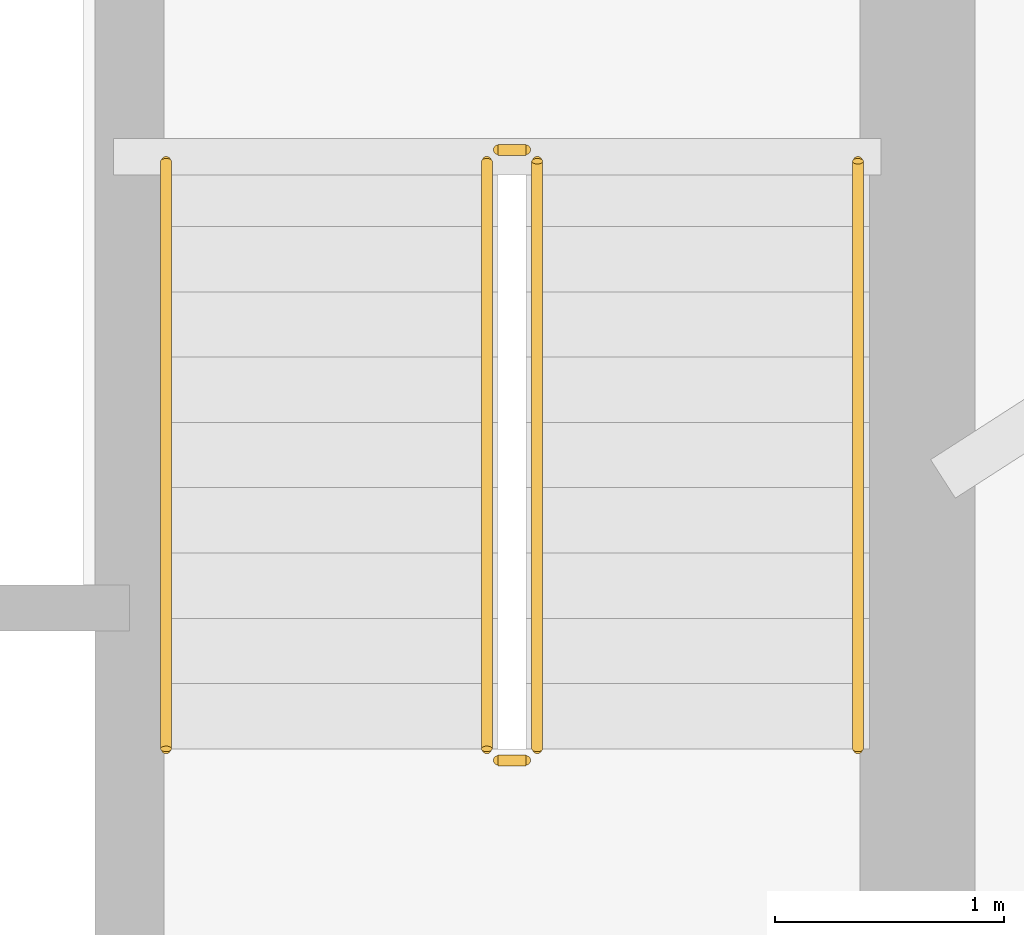
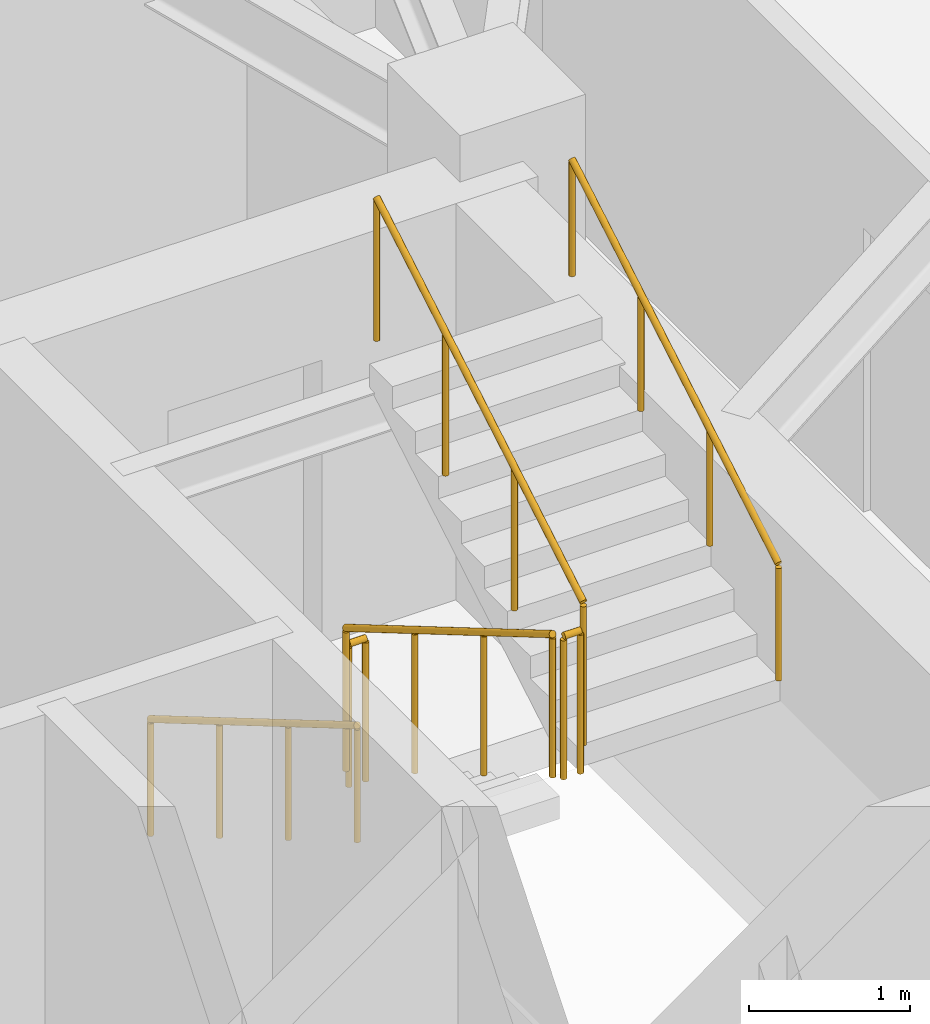
# One storey, part 17 of 17: 6 railings.
"""IFC4 building model written with IfcOpenShell, lengths in metres."""

from ifc_helpers import new_model, si_unit, direction, frame, origin, origin_2d, place, context, subcontext, project, spatial, circle, extrude, material, type_object, element, save


model = new_model("IFC4")

# Units and contexts
model_context = context("Model", 3, precision=1e-05, world=origin(), true_north=direction((0.0, 1.0)))
body_context = subcontext(model_context, "Body", "Model", "MODEL_VIEW")
ifc_project = project(units=[si_unit("LENGTHUNIT", "METRE"), si_unit("AREAUNIT", "SQUARE_METRE"), si_unit("VOLUMEUNIT", "CUBIC_METRE"), si_unit("PLANEANGLEUNIT", "RADIAN"), si_unit("MASSUNIT", "GRAM", prefix="KILO")], contexts=[model_context])

# Site, building, storey
site_placement = place(None, origin())
site = spatial("IfcSite", under=ifc_project, at=site_placement, CompositionType="ELEMENT")
building_placement = place(site_placement, origin())
building = spatial("IfcBuilding", under=site, at=building_placement, Name="Qobustan Lattice House", CompositionType="ELEMENT")
storey_placement = place(building_placement, frame((0.0, 0.0, 171.199951171875)))
storey = spatial("IfcBuildingStorey", under=building, at=storey_placement, Name="L48", CompositionType="ELEMENT", Elevation=171.199951171875)

# Railings
ifc_material_1 = material(Name="Brushed stainless steel handrail", Category="steel")
railing_type_1 = type_object("IfcRailingType", Name="RAL-HR-920", PredefinedType="HANDRAIL", material=ifc_material_1)
railing_1_placement = place(storey_placement, frame((15.179931640625, 3.5, 0.16748046875)))
element("IfcRailing", 1, at=railing_1_placement, inside=storey, type_object=railing_type_1, Name="L48 ST-E1 stair handrail 1", PredefinedType="HANDRAIL", context=body_context, shape_type="SweptSolid", body=[
    extrude(circle(Radius=0.02392578125, at=origin_2d()), frame((0.0, 0.0, 0.8759765625), z_axis=(0.0, -0.862113467892, 0.50671527358), x_axis=(1.0, 0.0, 0.0)), (0.0, 0.0, 1.0), 2.97509765625),
    extrude(circle(Radius=0.02099609375, at=origin_2d()), origin(), (0.0, 0.0, 1.0), 0.851806640625),
    extrude(circle(Radius=0.02099609375, at=origin_2d()), frame((0.0, -0.85498046875, 0.50244140625)), (0.0, 0.0, 1.0), 0.851806640625),
    extrude(circle(Radius=0.02099609375, at=origin_2d()), frame((0.0, -1.7099609375, 1.005126953125)), (0.0, 0.0, 1.0), 0.851806640625),
    extrude(circle(Radius=0.02099609375, at=origin_2d()), frame((0.0, -2.56494140625, 1.507568359375)), (0.0, 0.0, 1.0), 0.851806640625),
])
railing_2_placement = place(storey_placement, frame((18.199951171875, 0.93505859375, 1.842529296875)))
element("IfcRailing", 2, at=railing_2_placement, inside=storey, type_object=railing_type_1, Name="L48 ST-E1 stair handrail 2", PredefinedType="HANDRAIL", context=body_context, shape_type="SweptSolid", body=[
    extrude(circle(Radius=0.02392578125, at=origin_2d()), frame((0.0, 0.0, 0.8759765625), z_axis=(0.0, 0.862113467892, 0.50671527358), x_axis=(-1.0, 0.0, 0.0)), (0.0, 0.0, 1.0), 2.97509765625),
    extrude(circle(Radius=0.02099609375, at=origin_2d()), origin(), (0.0, 0.0, 1.0), 0.851806640625),
    extrude(circle(Radius=0.02099609375, at=origin_2d()), frame((0.0, 0.85498046875, 0.50244140625)), (0.0, 0.0, 1.0), 0.851806640625),
    extrude(circle(Radius=0.02099609375, at=origin_2d()), frame((0.0, 1.7099609375, 1.005126953125)), (0.0, 0.0, 1.0), 0.851806640625),
    extrude(circle(Radius=0.02099609375, at=origin_2d()), frame((0.0, 2.56494140625, 1.507568359375)), (0.0, 0.0, 1.0), 0.851806640625),
])
ifc_material_2 = material(Name="Painted galvanized steel guardrail", Category="steel")
railing_type_2 = type_object("IfcRailingType", Name="RAL-STG-1150", PredefinedType="GUARDRAIL", material=ifc_material_2)
railing_3_placement = place(storey_placement, frame((16.580078125, 3.5, 0.16748046875)))
element("IfcRailing", 3, at=railing_3_placement, inside=storey, type_object=railing_type_2, Name="L48 ST-E1 stair guard 1", PredefinedType="GUARDRAIL", context=body_context, shape_type="SweptSolid", body=[
    extrude(circle(Radius=0.02392578125, at=origin_2d()), frame((0.0, 0.0, 1.076171875), z_axis=(0.0, -0.862113467892, 0.50671527358), x_axis=(1.0, 0.0, 0.0)), (0.0, 0.0, 1.0), 2.97509765625),
    extrude(circle(Radius=0.02099609375, at=origin_2d()), origin(), (0.0, 0.0, 1.0), 1.052001953125),
    extrude(circle(Radius=0.02099609375, at=origin_2d()), frame((0.0, -0.85498046875, 0.50244140625)), (0.0, 0.0, 1.0), 1.052001953125),
    extrude(circle(Radius=0.02099609375, at=origin_2d()), frame((0.0, -1.7099609375, 1.005126953125)), (0.0, 0.0, 1.0), 1.052001953125),
    extrude(circle(Radius=0.02099609375, at=origin_2d()), frame((0.0, -2.56494140625, 1.507568359375)), (0.0, 0.0, 1.0), 1.052001953125),
])
railing_4_placement = place(storey_placement, frame((16.6298828125, 0.885009765625, 1.675048828125)))
element("IfcRailing", 4, at=railing_4_placement, inside=storey, type_object=railing_type_2, Name="L48 ST-E1 stair guard 2", PredefinedType="GUARDRAIL", context=body_context, shape_type="SweptSolid", body=[
    extrude(circle(Radius=0.02392578125, at=origin_2d()), frame((0.0, 0.0, 1.076171875), z_axis=(1.0, 0.0, 0.0), x_axis=(0.0, 1.0, 0.0)), (0.0, 0.0, 1.0), 0.1201171875),
    extrude(circle(Radius=0.02099609375, at=origin_2d()), origin(), (0.0, 0.0, 1.0), 1.052001953125),
    extrude(circle(Radius=0.02099609375, at=origin_2d()), frame((0.1201171875, 0.0, 0.0)), (0.0, 0.0, 1.0), 1.052001953125),
])
railing_5_placement = place(storey_placement, frame((16.800048828125, 0.93505859375, 1.842529296875)))
element("IfcRailing", 5, at=railing_5_placement, inside=storey, type_object=railing_type_2, Name="L48 ST-E1 stair guard 3", PredefinedType="GUARDRAIL", context=body_context, shape_type="SweptSolid", body=[
    extrude(circle(Radius=0.02392578125, at=origin_2d()), frame((0.0, 0.0, 1.076171875), z_axis=(0.0, 0.862113467892, 0.50671527358), x_axis=(-1.0, 0.0, 0.0)), (0.0, 0.0, 1.0), 2.97509765625),
    extrude(circle(Radius=0.02099609375, at=origin_2d()), origin(), (0.0, 0.0, 1.0), 1.052001953125),
    extrude(circle(Radius=0.02099609375, at=origin_2d()), frame((0.0, 0.85498046875, 0.50244140625)), (0.0, 0.0, 1.0), 1.052001953125),
    extrude(circle(Radius=0.02099609375, at=origin_2d()), frame((0.0, 1.7099609375, 1.005126953125)), (0.0, 0.0, 1.0), 1.052001953125),
    extrude(circle(Radius=0.02099609375, at=origin_2d()), frame((0.0, 2.56494140625, 1.507568359375)), (0.0, 0.0, 1.0), 1.052001953125),
])
railing_6_placement = place(storey_placement, frame((16.6298828125, 3.550048828125, 0.0)))
element("IfcRailing", 6, at=railing_6_placement, inside=storey, type_object=railing_type_2, Name="L48 ST-E1 stair guard 4", PredefinedType="GUARDRAIL", context=body_context, shape_type="SweptSolid", body=[
    extrude(circle(Radius=0.02392578125, at=origin_2d()), frame((0.0, 0.0, 1.076171875), z_axis=(1.0, 0.0, 0.0), x_axis=(0.0, 1.0, 0.0)), (0.0, 0.0, 1.0), 0.1201171875),
    extrude(circle(Radius=0.02099609375, at=origin_2d()), origin(), (0.0, 0.0, 1.0), 1.052001953125),
    extrude(circle(Radius=0.02099609375, at=origin_2d()), frame((0.1201171875, 0.0, 0.0)), (0.0, 0.0, 1.0), 1.052001953125),
])

save(model, "model.ifc")
